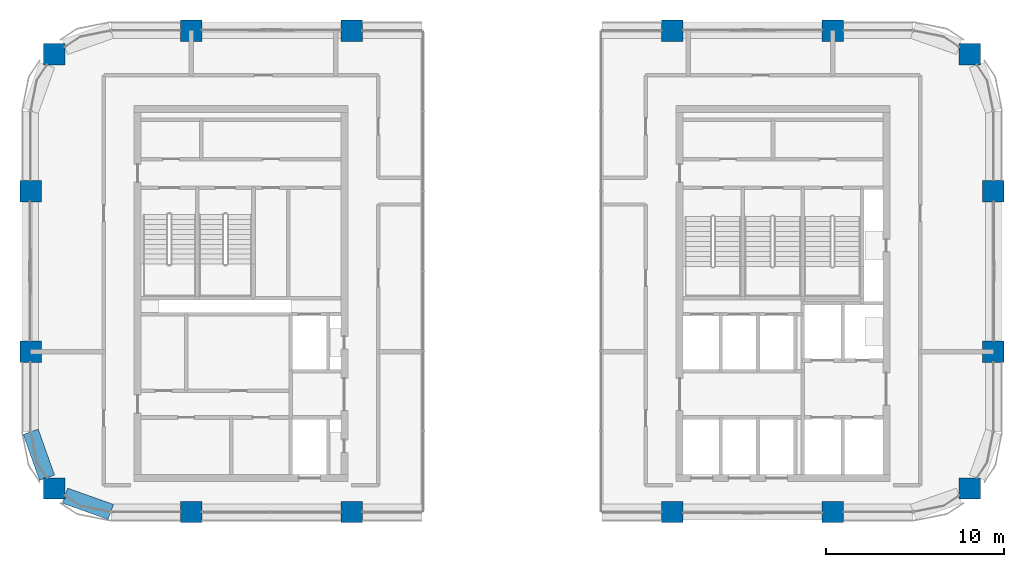
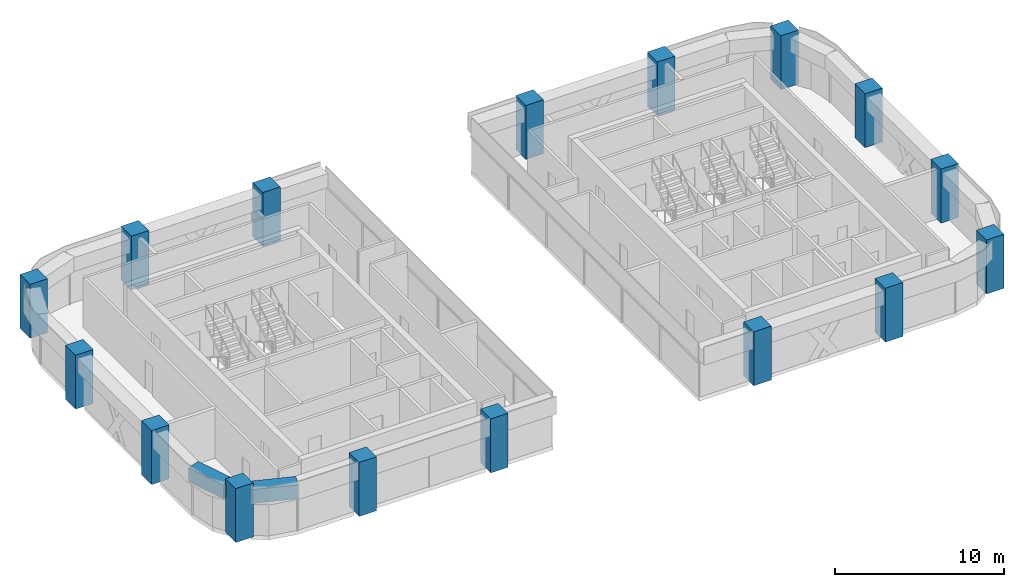
# One storey, part 1 of 16: 16 columns, 2 beams.
"""IFC4 building model written with IfcOpenShell, lengths in metres."""

from ifc_helpers import new_model, si_unit, direction, frame, origin, origin_2d, place, context, subcontext, project, spatial, rectangle, extrude, material, material_profile, profile_set, type_object, element, save


model = new_model("IFC4")

# Units and contexts
model_context = context("Model", 3, precision=1e-05, world=origin(), true_north=direction((0.0, 1.0)))
body_context = subcontext(model_context, "Body", "Model", "MODEL_VIEW")
ifc_project = project(units=[si_unit("LENGTHUNIT", "METRE"), si_unit("AREAUNIT", "SQUARE_METRE"), si_unit("VOLUMEUNIT", "CUBIC_METRE"), si_unit("PLANEANGLEUNIT", "RADIAN"), si_unit("MASSUNIT", "GRAM", prefix="KILO")], contexts=[model_context])

# Site, building, storey
site_placement = place(None, origin())
site = spatial("IfcSite", under=ifc_project, at=site_placement, CompositionType="ELEMENT")
building_placement = place(site_placement, origin())
building = spatial("IfcBuilding", under=site, at=building_placement, Name="Tessera Arch", CompositionType="ELEMENT")
storey_placement = place(building_placement, frame((0.0, 0.0, 218.89990234375)))
storey = spatial("IfcBuildingStorey", under=building, at=storey_placement, Name="L52", CompositionType="ELEMENT", Elevation=218.89990234375)

# Columns
ifc_material_1 = material(Name="Concrete C60/75", Category="concrete")
ifc_material_profile_1 = material_profile(ifc_material_1, rectangle(XDim=1.199951171875, YDim=1.199951171875, at=origin_2d()), Name="RC column 1200 x 1200 Concrete C60/75")
ifc_profile_set_1 = profile_set([ifc_material_profile_1], Name="Concrete C60/75")
column_type = type_object("IfcColumnType", Name="RC column 1200 x 1200 Concrete C60/75", PredefinedType="COLUMN", material=ifc_profile_set_1)
for number, where, z_axis, x_axis, name in (
    (1, (1.318115234375, 28.318115234375, 0.0), (0.0, 0.0, 1.0), (1.0, 0.0, 0.0), "Column C1D L52"),
    (2, (0.0, 36.0, 0.0), (0.0, 0.0, 1.0), (1.0, 0.0, 0.0), "Column C1E L52"),
    (3, (0.0, 45.0, 0.0), (0.0, 0.0, 1.0), (1.0, 0.0, 0.0), "Column C1F L52"),
    (4, (1.318115234375, 52.681884765625, 0.0), (0.0, 0.0, 1.0), (1.0, 0.0, 0.0), "Column C1G L52"),
    (5, (9.0, 27.0, 0.0), (0.0, 0.0, 1.0), (1.0, 0.0, 0.0), "Column C2D L52"),
    (6, (9.0, 54.0, 0.0), (0.0, 0.0, 1.0), (1.0, 0.0, 0.0), "Column C2G L52"),
    (7, (18.0, 27.0, 0.0), (0.0, 0.0, 1.0), (1.0, 0.0, 0.0), "Column C3D L52"),
    (8, (18.0, 54.0, 0.0), (0.0, 0.0, 1.0), (1.0, 0.0, 0.0), "Column C3G L52"),
    (9, (36.0, 27.0, 0.0), (0.0, 0.0, 1.0), (1.0, 0.0, 0.0), "Column C5D L52"),
    (10, (36.0, 54.0, 0.0), (0.0, 0.0, 1.0), (1.0, 0.0, 0.0), "Column C5G L52"),
    (11, (45.0, 27.0, 0.0), (0.0, 0.0, 1.0), (1.0, 0.0, 0.0), "Column C6D L52"),
    (12, (45.0, 54.0, 0.0), (0.0, 0.0, 1.0), (1.0, 0.0, 0.0), "Column C6G L52"),
    (13, (52.681884765625, 28.318115234375, 0.0), (0.0, 0.0, 1.0), (1.0, 0.0, 0.0), "Column C7D L52"),
    (14, (54.0, 36.0, 0.0), (0.0, 0.0, 1.0), (1.0, 0.0, 0.0), "Column C7E L52"),
    (15, (54.0, 45.0, 0.0), (0.0, 0.0, 1.0), (1.0, 0.0, 0.0), "Column C7F L52"),
    (16, (52.681884765625, 52.681884765625, 0.0), (0.0, 0.0, 1.0), (1.0, 0.0, 0.0), "Column C7G L52"),
):
    element("IfcColumn", number, at=place(storey_placement, frame(where, z_axis=z_axis, x_axis=x_axis)), inside=storey, type_object=column_type, Name=name, PredefinedType="COLUMN", context=body_context, shape_type="SweptSolid", body=[
        extrude(rectangle(XDim=1.199951171875, YDim=1.199951171875, at=origin_2d()), origin(), (0.0, 0.0, 1.0), 3.900146484375),
    ])

# Beams
ifc_material_2 = material(Name="Concrete C60/75", Category="concrete")
ifc_material_profile_2 = material_profile(ifc_material_2, rectangle(XDim=0.89990234375, YDim=1.0, at=origin_2d()), Name="RC spandrel beam 900 x 1000 Concrete C60/75")
ifc_profile_set_2 = profile_set([ifc_material_profile_2], Name="Concrete C60/75")
beam_type = type_object("IfcBeamType", Name="RC spandrel beam 900 x 1000 Concrete C60/75", PredefinedType="BEAM", material=ifc_profile_set_2)
for number, where, z_axis, x_axis, name in (
    (17, (0.0, 31.5, 3.10009765625), (0.334665114373, -0.942337127159, 0.0), (0.942337127159, 0.334665114373, 0.0), "Spandrel beam L52 W0.27/2.2"),
    (18, (1.91796875, 27.9169921875, 3.10009765625), (0.942337127159, -0.334665114373, 0.0), (0.334665114373, 0.942337127159, 0.0), "Spandrel beam L52 S27.0/2.1"),
):
    element("IfcBeam", number, at=place(storey_placement, frame(where, z_axis=z_axis, x_axis=x_axis)), inside=storey, type_object=beam_type, Name=name, PredefinedType="BEAM", context=body_context, shape_type="SweptSolid", body=[
        extrude(rectangle(XDim=0.89990234375, YDim=1.0, at=origin_2d()), origin(), (0.0, 0.0, 1.0), 2.739990234375),
    ])

save(model, "model.ifc")
